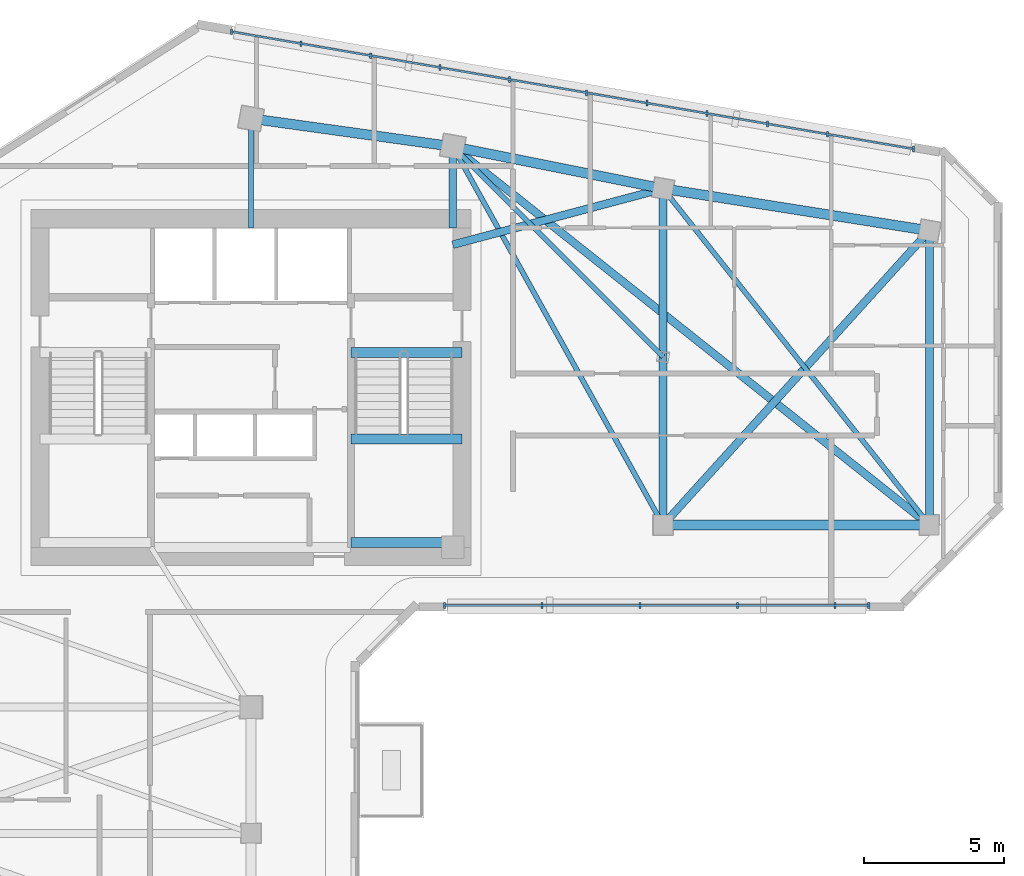
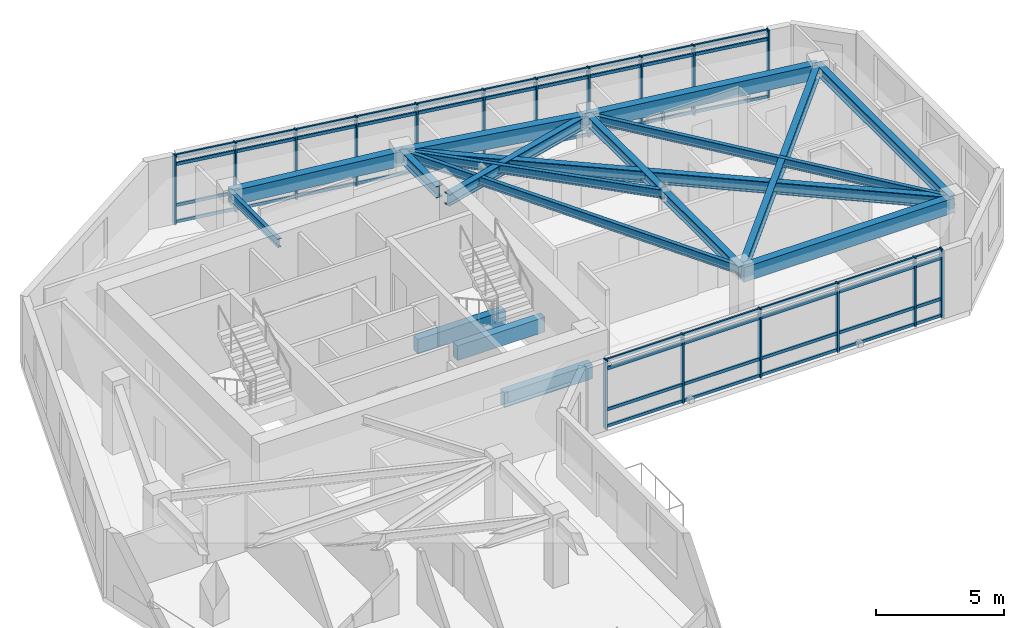
# One storey, part 2 of 10: 25 members, 17 beams, 2 elements without a shape of their own.
"""IFC4 building model written with IfcOpenShell, lengths in metres."""

from ifc_helpers import new_model, si_unit, direction, frame, origin, origin_2d, place, context, subcontext, project, spatial, rectangle, i_section, extrude, source, transform, mapped, material, material_profile, profile_set, type_object, element, aggregate, save


model = new_model("IFC4")

# Units and contexts
model_context = context("Model", 3, precision=1e-05, world=origin(), true_north=direction((0.0, 1.0)))
body_context = subcontext(model_context, "Body", "Model", "MODEL_VIEW")
ifc_project = project(units=[si_unit("LENGTHUNIT", "METRE"), si_unit("AREAUNIT", "SQUARE_METRE"), si_unit("VOLUMEUNIT", "CUBIC_METRE"), si_unit("PLANEANGLEUNIT", "RADIAN"), si_unit("MASSUNIT", "GRAM", prefix="KILO")], contexts=[model_context])

# Site, building, storey
site_placement = place(None, origin())
site = spatial("IfcSite", under=ifc_project, at=site_placement, CompositionType="ELEMENT")
building_placement = place(site_placement, origin())
building = spatial("IfcBuilding", under=site, at=building_placement, Name="Calvemar Wedge Station Tower", CompositionType="ELEMENT")
storey_placement = place(building_placement, frame((0.0, 0.0, 193.89990234375)))
storey = spatial("IfcBuildingStorey", under=building, at=storey_placement, Name="L48", CompositionType="ELEMENT", Elevation=193.89990234375)

# Beams
ifc_material_1 = material(Name="Structural steel ASTM A572 Grade 50", Category="steel")
ifc_material_profile_1 = material_profile(ifc_material_1, i_section(OverallWidth=0.177978515625, OverallDepth=0.406982421875, WebThickness=0.0078125, FlangeThickness=0.0126953125, FilletRadius=0.010009765625, at=origin_2d()), Name="W410x60")
ifc_profile_set_1 = profile_set([ifc_material_profile_1], Name="Structural steel ASTM A572 Grade 50")
beam_type_1 = type_object("IfcBeamType", Name="BM-J3-W410", PredefinedType="JOIST", material=ifc_profile_set_1)
shared_shape_1 = source(origin(), body_context, "Body", "SweptSolid", [
    extrude(i_section(OverallWidth=0.177978515625, OverallDepth=0.406982421875, WebThickness=0.0078125, FlangeThickness=0.0126953125, FilletRadius=0.010009765625, at=origin_2d()), origin(), (0.0, 0.0, 1.0), 15.443359375),
])
beam_1_placement = place(storey_placement, frame((31.0, 48.5, 3.046630859375), z_axis=(0.485642931179, -0.874157276122, 0.0), x_axis=(0.874157276122, 0.485642931179, 0.0)))
element("IfcBeam", 1, at=beam_1_placement, inside=storey, type_object=beam_type_1, Name="Storey L48 Floor Beam T-N2-T-NL2", PredefinedType="JOIST", context=body_context, shape_type="MappedRepresentation", body=[
    mapped(shared_shape_1, transform((0.0, 0.0, 0.0), scale=1.0)),
])
ifc_material_profile_2 = material_profile(ifc_material_1, i_section(OverallWidth=0.279052734375, OverallDepth=0.553955078125, WebThickness=0.017578125, FlangeThickness=0.029541015625, FilletRadius=0.014892578125, at=origin_2d()), Name="W530x196")
ifc_profile_set_2 = profile_set([ifc_material_profile_2], Name="Structural steel ASTM A572 Grade 50")
beam_type_2 = type_object("IfcBeamType", Name="BM-SB3-W530H", PredefinedType="BEAM", material=ifc_profile_set_2)
shared_shape_2 = source(origin(), body_context, "Body", "SweptSolid", [
    extrude(i_section(OverallWidth=0.279052734375, OverallDepth=0.553955078125, WebThickness=0.017578125, FlangeThickness=0.029541015625, FilletRadius=0.014892578125, at=origin_2d()), origin(), (0.0, 0.0, 1.0), 21.708251953125),
])
beam_2_placement = place(storey_placement, frame((31.0, 48.5, 2.97314453125), z_axis=(0.783110847498, -0.621882143602, 0.0), x_axis=(0.621882143602, 0.783110847498, 0.0)))
element("IfcBeam", 2, at=beam_2_placement, inside=storey, type_object=beam_type_2, Name="Storey L48 Floor Beam T-N2-T-NL3", PredefinedType="BEAM", context=body_context, shape_type="MappedRepresentation", body=[
    mapped(shared_shape_2, transform((0.0, 0.0, 0.0), scale=1.0)),
])
shared_shape_3 = source(origin(), body_context, "Body", "SweptSolid", [
    extrude(i_section(OverallWidth=0.177978515625, OverallDepth=0.406982421875, WebThickness=0.0078125, FlangeThickness=0.0126953125, FilletRadius=0.010009765625, at=origin_2d()), origin(), (0.0, 0.0, 1.0), 15.30517578125),
])
beam_3_placement = place(storey_placement, frame((38.5, 47.0, 3.046630859375), z_axis=(0.620702944366, -0.784045824462, 0.0), x_axis=(0.784045824462, 0.620702944366, 0.0)))
element("IfcBeam", 3, at=beam_3_placement, inside=storey, type_object=beam_type_1, Name="Storey L48 Floor Beam T-NU3-T-NL3", PredefinedType="JOIST", context=body_context, shape_type="MappedRepresentation", body=[
    mapped(shared_shape_3, transform((0.0, 0.0, 0.0), scale=1.0)),
])
shared_shape_4 = source(origin(), body_context, "Body", "SweptSolid", [
    extrude(i_section(OverallWidth=0.279052734375, OverallDepth=0.553955078125, WebThickness=0.017578125, FlangeThickness=0.029541015625, FilletRadius=0.014892578125, at=origin_2d()), origin(), (0.0, 0.0, 1.0), 14.159912109375),
])
beam_4_placement = place(storey_placement, frame((38.5, 35.0, 2.97314453125), z_axis=(0.670913323969, 0.741535779124, 0.0), x_axis=(-0.741535779124, 0.670913323969, 0.0)))
element("IfcBeam", 4, at=beam_4_placement, inside=storey, type_object=beam_type_2, Name="Storey L48 Floor Beam T-NL2-T-NU4", PredefinedType="BEAM", context=body_context, shape_type="MappedRepresentation", body=[
    mapped(shared_shape_4, transform((0.0, 0.0, 0.0), scale=1.0)),
])
shared_shape_5 = source(origin(), body_context, "Body", "SweptSolid", [
    extrude(i_section(OverallWidth=0.279052734375, OverallDepth=0.553955078125, WebThickness=0.017578125, FlangeThickness=0.029541015625, FilletRadius=0.014892578125, at=origin_2d()), origin(), (0.0, 0.0, 1.0), 7.76220703125),
])
beam_5_placement = place(storey_placement, frame((31.0, 45.0, 2.97314453125), z_axis=(0.966234939601, 0.25766265056, 0.0), x_axis=(-0.25766265056, 0.966234939601, 0.0)))
element("IfcBeam", 5, at=beam_5_placement, inside=storey, type_object=beam_type_2, Name="Storey L48 Core-to-Column Joist CJ-E2", PredefinedType="BEAM", context=body_context, shape_type="MappedRepresentation", body=[
    mapped(shared_shape_5, transform((0.0, 0.0, 0.0), scale=1.0)),
])
shared_shape_6 = source(origin(), body_context, "Body", "SweptSolid", [
    extrude(i_section(OverallWidth=0.177978515625, OverallDepth=0.406982421875, WebThickness=0.0078125, FlangeThickness=0.0126953125, FilletRadius=0.010009765625, at=origin_2d()), origin(), (0.0, 0.0, 1.0), 3.89990234375),
])
beam_6_placement = place(storey_placement, frame((23.800048828125, 45.60009765625, 3.046630859375), z_axis=(0.0, 1.0, 0.0), x_axis=(-1.0, 0.0, 0.0)))
element("IfcBeam", 6, at=beam_6_placement, inside=storey, type_object=beam_type_1, Name="Storey L48 Core-to-Column Joist CJ-N1", PredefinedType="JOIST", context=body_context, shape_type="MappedRepresentation", body=[
    mapped(shared_shape_6, transform((0.0, 0.0, 0.0), scale=1.0)),
])
shared_shape_7 = source(origin(), body_context, "Body", "SweptSolid", [
    extrude(i_section(OverallWidth=0.279052734375, OverallDepth=0.553955078125, WebThickness=0.017578125, FlangeThickness=0.029541015625, FilletRadius=0.014892578125, at=origin_2d()), origin(), (0.0, 0.0, 1.0), 2.89990234375),
])
beam_7_placement = place(storey_placement, frame((31.0, 45.60009765625, 2.97314453125), z_axis=(0.0, 1.0, 0.0), x_axis=(-1.0, 0.0, 0.0)))
element("IfcBeam", 7, at=beam_7_placement, inside=storey, type_object=beam_type_2, Name="Storey L48 Core-to-Column Joist CJ-N2", PredefinedType="BEAM", context=body_context, shape_type="MappedRepresentation", body=[
    mapped(shared_shape_7, transform((0.0, 0.0, 0.0), scale=1.0)),
])
shared_shape_8 = source(origin(), body_context, "Body", "SweptSolid", [
    extrude(i_section(OverallWidth=0.177978515625, OverallDepth=0.406982421875, WebThickness=0.0078125, FlangeThickness=0.0126953125, FilletRadius=0.010009765625, at=origin_2d()), origin(), (0.0, 0.0, 1.0), 10.606689453125),
])
beam_8_placement = place(storey_placement, frame((38.5, 41.0, 3.046630859375), z_axis=(-0.707106781187, 0.707106781187, 0.0), x_axis=(-0.707106781187, -0.707106781187, 0.0)))
element("IfcBeam", 8, at=beam_8_placement, inside=storey, type_object=beam_type_1, Name="Storey L48 Floor Beam T-NTIP-B-T-N2", PredefinedType="JOIST", context=body_context, shape_type="MappedRepresentation", body=[
    mapped(shared_shape_8, transform((0.0, 0.0, 0.0), scale=1.0)),
])
ifc_material_2 = material(Name="Concrete C70", Category="concrete")
ifc_material_profile_3 = material_profile(ifc_material_2, rectangle(XDim=0.35009765625, YDim=0.699951171875, at=origin_2d()), Name="RC350x700")
ifc_profile_set_3 = profile_set([ifc_material_profile_3], Name="Concrete C70")
beam_type_3 = type_object("IfcBeamType", Name="BM-LN1-700", PredefinedType="LINTEL", material=ifc_profile_set_3)
shared_shape_9 = source(origin(), body_context, "Body", "SweptSolid", [
    extrude(rectangle(XDim=0.35009765625, YDim=0.699951171875, at=origin_2d()), origin(), (0.0, 0.0, 1.0), 3.954833984375),
])
for number, where, z_axis, x_axis, name in (
    (9, (27.3701171875, 41.14990234375, -0.349853515625), (1.0, 0.0, 0.0), (0.0, 1.0, 0.0), "Storey L48 Stair ST-C2 Landing Trimmer Beam"),
    (10, (27.3701171875, 34.3798828125, 1.2001953125), (1.0, 0.0, 0.0), (0.0, 1.0, 0.0), "Storey L48 Stair ST-C2 Half-Landing Beam 1A"),
    (11, (27.3701171875, 38.070068359375, 1.2001953125), (1.0, 0.0, 0.0), (0.0, 1.0, 0.0), "Storey L48 Stair ST-C2 Half-Landing Beam 1B"),
):
    element("IfcBeam", number, at=place(storey_placement, frame(where, z_axis=z_axis, x_axis=x_axis)), inside=storey, type_object=beam_type_3, Name=name, PredefinedType="LINTEL", context=body_context, shape_type="MappedRepresentation", body=[
        mapped(shared_shape_9, transform((0.0, 0.0, 0.0), scale=1.0)),
    ])
ifc_material_3 = material(Name="Concrete C50", Category="concrete")
ifc_material_profile_4 = material_profile(ifc_material_3, rectangle(XDim=0.35009765625, YDim=0.699951171875, at=origin_2d()), Name="RC350x700")
ifc_profile_set_4 = profile_set([ifc_material_profile_4], Name="Concrete C50")
beam_type_4 = type_object("IfcBeamType", Name="BM-SP2-700", PredefinedType="SPANDREL", material=ifc_profile_set_4)
shared_shape_10 = source(origin(), body_context, "Body", "SweptSolid", [
    extrude(rectangle(XDim=0.35009765625, YDim=0.699951171875, at=origin_2d()), origin(), (0.0, 0.0, 1.0), 7.26904296875),
])
beam_9_placement = place(storey_placement, frame((23.800048828125, 49.5, 2.900146484375), z_axis=(0.990492146053, -0.13756928657, 0.0), x_axis=(0.13756928657, 0.990492146053, 0.0)))
element("IfcBeam", 12, at=beam_9_placement, inside=storey, type_object=beam_type_4, Name="Storey L48 Spandrel T-N1-T-N2", PredefinedType="SPANDREL", context=body_context, shape_type="MappedRepresentation", body=[
    mapped(shared_shape_10, transform((0.0, 0.0, 0.0), scale=1.0)),
])
shared_shape_11 = source(origin(), body_context, "Body", "SweptSolid", [
    extrude(rectangle(XDim=0.35009765625, YDim=0.699951171875, at=origin_2d()), origin(), (0.0, 0.0, 1.0), 7.6484375),
])
beam_10_placement = place(storey_placement, frame((31.0, 48.5, 2.900146484375), z_axis=(0.980580675691, -0.196116135138, 0.0), x_axis=(0.196116135138, 0.980580675691, 0.0)))
element("IfcBeam", 13, at=beam_10_placement, inside=storey, type_object=beam_type_4, Name="Storey L48 Spandrel T-N2-T-NU3", PredefinedType="SPANDREL", context=body_context, shape_type="MappedRepresentation", body=[
    mapped(shared_shape_11, transform((0.0, 0.0, 0.0), scale=1.0)),
])
shared_shape_12 = source(origin(), body_context, "Body", "SweptSolid", [
    extrude(rectangle(XDim=0.35009765625, YDim=0.699951171875, at=origin_2d()), origin(), (0.0, 0.0, 1.0), 9.61767578125),
])
beam_11_placement = place(storey_placement, frame((38.5, 47.0, 2.900146484375), z_axis=(0.987762965329, -0.155962573473, 0.0), x_axis=(0.155962573473, 0.987762965329, 0.0)))
element("IfcBeam", 14, at=beam_11_placement, inside=storey, type_object=beam_type_4, Name="Storey L48 Spandrel T-NU3-T-NU4", PredefinedType="SPANDREL", context=body_context, shape_type="MappedRepresentation", body=[
    mapped(shared_shape_12, transform((0.0, 0.0, 0.0), scale=1.0)),
])
shared_shape_13 = source(origin(), body_context, "Body", "SweptSolid", [
    extrude(rectangle(XDim=0.35009765625, YDim=0.699951171875, at=origin_2d()), origin(), (0.0, 0.0, 1.0), 9.5),
])
beam_12_placement = place(storey_placement, frame((38.5, 35.0, 2.900146484375), z_axis=(1.0, 0.0, 0.0), x_axis=(0.0, 1.0, 0.0)))
element("IfcBeam", 15, at=beam_12_placement, inside=storey, type_object=beam_type_4, Name="Storey L48 Spandrel T-NL2-T-NL3", PredefinedType="SPANDREL", context=body_context, shape_type="MappedRepresentation", body=[
    mapped(shared_shape_13, transform((0.0, 0.0, 0.0), scale=1.0)),
])
ifc_material_profile_5 = material_profile(ifc_material_1, i_section(OverallWidth=0.283935546875, OverallDepth=0.47607421875, WebThickness=0.014892578125, FlangeThickness=0.02392578125, FilletRadius=0.014892578125, at=origin_2d()), Name="W460x158")
ifc_profile_set_5 = profile_set([ifc_material_profile_5], Name="Structural steel ASTM A572 Grade 50")
beam_type_5 = type_object("IfcBeamType", Name="BM-SB5-W460H", PredefinedType="BEAM", material=ifc_profile_set_5)
shared_shape_14 = source(origin(), body_context, "Body", "SweptSolid", [
    extrude(i_section(OverallWidth=0.283935546875, OverallDepth=0.47607421875, WebThickness=0.014892578125, FlangeThickness=0.02392578125, FilletRadius=0.014892578125, at=origin_2d()), origin(), (0.0, 0.0, 1.0), 12.0),
])
beam_13_placement = place(storey_placement, frame((38.5, 47.0, 3.01220703125), z_axis=(0.0, -1.0, 0.0), x_axis=(1.0, 0.0, 0.0)))
element("IfcBeam", 16, at=beam_13_placement, inside=storey, type_object=beam_type_5, Name="Storey L48 Floor Beam T-NU3-T-NL2", PredefinedType="BEAM", context=body_context, shape_type="MappedRepresentation", body=[
    mapped(shared_shape_14, transform((0.0, 0.0, 0.0), scale=1.0)),
])
shared_shape_15 = source(origin(), body_context, "Body", "SweptSolid", [
    extrude(i_section(OverallWidth=0.283935546875, OverallDepth=0.47607421875, WebThickness=0.014892578125, FlangeThickness=0.02392578125, FilletRadius=0.014892578125, at=origin_2d()), origin(), (0.0, 0.0, 1.0), 10.5),
])
beam_14_placement = place(storey_placement, frame((48.0, 45.5, 3.01220703125), z_axis=(0.0, -1.0, 0.0), x_axis=(1.0, 0.0, 0.0)))
element("IfcBeam", 17, at=beam_14_placement, inside=storey, type_object=beam_type_5, Name="Storey L48 Floor Beam T-NU4-T-NL3", PredefinedType="BEAM", context=body_context, shape_type="MappedRepresentation", body=[
    mapped(shared_shape_15, transform((0.0, 0.0, 0.0), scale=1.0)),
])

# Curtain wall, members
ifc_material_4 = material(Name="Anodised aluminium 6063-T6", Category="aluminium")
curtain_wall_type = type_object("IfcCurtainWallType", Name="CW3", PredefinedType="NOTDEFINED", material=ifc_material_4)
curtain_wall_1_placement = place(storey_placement, origin())
curtain_wall_1 = element("IfcCurtainWall", 18, at=curtain_wall_1_placement, inside=storey, type_object=curtain_wall_type, Name="Storey L48 CW3 Recessed Unitised Curtain Wall 6", PredefinedType="NOTDEFINED")
ifc_material_profile_6 = material_profile(ifc_material_4, rectangle(XDim=0.074951171875, YDim=0.2099609375, at=origin_2d()), Name="AL-MUL-75x210")
ifc_profile_set_6 = profile_set([ifc_material_profile_6], Name="Anodised aluminium 6063-T6")
member_type_1 = type_object("IfcMemberType", Name="CW3-MUL", PredefinedType="MULLION", material=ifc_profile_set_6)
shared_shape_16 = source(origin(), body_context, "Body", "SweptSolid", [
    extrude(rectangle(XDim=0.074951171875, YDim=0.2099609375, at=origin_2d()), origin(), (0.0, 0.0, 1.0), 3.2998046875),
])
member_1_placement = place(storey_placement, frame((30.701904296875, 32.134033203125, -0.0498046875), z_axis=(0.0, 0.0, 1.0), x_axis=(1.0, 0.0, 0.0)))
member_1 = element("IfcMember", 19, at=member_1_placement, type_object=member_type_1, Name="CW3 mullion 1", PredefinedType="MULLION", context=body_context, shape_type="MappedRepresentation", body=[
    mapped(shared_shape_16, transform((0.0, 0.0, 0.0), scale=1.0)),
])
member_2_placement = place(storey_placement, frame((34.186279296875, 32.134033203125, -0.0498046875), z_axis=(0.0, 0.0, 1.0), x_axis=(1.0, 0.0, 0.0)))
member_2 = element("IfcMember", 20, at=member_2_placement, type_object=member_type_1, Name="CW3 mullion 2", PredefinedType="MULLION", context=body_context, shape_type="MappedRepresentation", body=[
    mapped(shared_shape_16, transform((0.0, 0.0, 0.0), scale=1.0)),
])
member_3_placement = place(storey_placement, frame((37.6708984375, 32.134033203125, -0.0498046875), z_axis=(0.0, 0.0, 1.0), x_axis=(1.0, 0.0, 0.0)))
member_3 = element("IfcMember", 21, at=member_3_placement, type_object=member_type_1, Name="CW3 mullion 3", PredefinedType="MULLION", context=body_context, shape_type="MappedRepresentation", body=[
    mapped(shared_shape_16, transform((0.0, 0.0, 0.0), scale=1.0)),
])
member_4_placement = place(storey_placement, frame((41.155517578125, 32.134033203125, -0.0498046875), z_axis=(0.0, 0.0, 1.0), x_axis=(1.0, 0.0, 0.0)))
member_4 = element("IfcMember", 22, at=member_4_placement, type_object=member_type_1, Name="CW3 mullion 4", PredefinedType="MULLION", context=body_context, shape_type="MappedRepresentation", body=[
    mapped(shared_shape_16, transform((0.0, 0.0, 0.0), scale=1.0)),
])
member_5_placement = place(storey_placement, frame((44.639892578125, 32.134033203125, -0.0498046875), z_axis=(0.0, 0.0, 1.0), x_axis=(1.0, 0.0, 0.0)))
member_5 = element("IfcMember", 23, at=member_5_placement, type_object=member_type_1, Name="CW3 mullion 5", PredefinedType="MULLION", context=body_context, shape_type="MappedRepresentation", body=[
    mapped(shared_shape_16, transform((0.0, 0.0, 0.0), scale=1.0)),
])
member_6_placement = place(storey_placement, frame((45.837890625, 32.134033203125, -0.0498046875), z_axis=(0.0, 0.0, 1.0), x_axis=(1.0, 0.0, 0.0)))
member_6 = element("IfcMember", 24, at=member_6_placement, type_object=member_type_1, Name="CW3 mullion 6", PredefinedType="MULLION", context=body_context, shape_type="MappedRepresentation", body=[
    mapped(shared_shape_16, transform((0.0, 0.0, 0.0), scale=1.0)),
])

curtain_wall_2_placement = place(storey_placement, origin())
curtain_wall_2 = element("IfcCurtainWall", 25, at=curtain_wall_2_placement, inside=storey, type_object=curtain_wall_type, Name="Storey L48 CW3 Recessed Unitised Curtain Wall 10", PredefinedType="NOTDEFINED")
member_7_placement = place(storey_placement, frame((47.433349609375, 48.41162109375, -0.0498046875), z_axis=(0.0, 0.0, 1.0), x_axis=(1.0, 0.0, 0.0)))
member_7 = element("IfcMember", 26, at=member_7_placement, type_object=member_type_1, Name="CW3 mullion 1", PredefinedType="MULLION", context=body_context, shape_type="MappedRepresentation", body=[
    mapped(shared_shape_16, transform((0.0, 0.0, 0.0), scale=1.0)),
])
member_8_placement = place(storey_placement, frame((44.371337890625, 48.9384765625, -0.0498046875), z_axis=(0.0, 0.0, 1.0), x_axis=(1.0, 0.0, 0.0)))
member_8 = element("IfcMember", 27, at=member_8_placement, type_object=member_type_1, Name="CW3 mullion 2", PredefinedType="MULLION", context=body_context, shape_type="MappedRepresentation", body=[
    mapped(shared_shape_16, transform((0.0, 0.0, 0.0), scale=1.0)),
])
member_9_placement = place(storey_placement, frame((42.221435546875, 49.30810546875, -0.0498046875), z_axis=(0.0, 0.0, 1.0), x_axis=(1.0, 0.0, 0.0)))
member_9 = element("IfcMember", 28, at=member_9_placement, type_object=member_type_1, Name="CW3 mullion 3", PredefinedType="MULLION", context=body_context, shape_type="MappedRepresentation", body=[
    mapped(shared_shape_16, transform((0.0, 0.0, 0.0), scale=1.0)),
])
member_10_placement = place(storey_placement, frame((40.0712890625, 49.677978515625, -0.0498046875), z_axis=(0.0, 0.0, 1.0), x_axis=(1.0, 0.0, 0.0)))
member_10 = element("IfcMember", 29, at=member_10_placement, type_object=member_type_1, Name="CW3 mullion 4", PredefinedType="MULLION", context=body_context, shape_type="MappedRepresentation", body=[
    mapped(shared_shape_16, transform((0.0, 0.0, 0.0), scale=1.0)),
])
member_11_placement = place(storey_placement, frame((37.92138671875, 50.048095703125, -0.0498046875), z_axis=(0.0, 0.0, 1.0), x_axis=(1.0, 0.0, 0.0)))
member_11 = element("IfcMember", 30, at=member_11_placement, type_object=member_type_1, Name="CW3 mullion 5", PredefinedType="MULLION", context=body_context, shape_type="MappedRepresentation", body=[
    mapped(shared_shape_16, transform((0.0, 0.0, 0.0), scale=1.0)),
])
member_12_placement = place(storey_placement, frame((35.771240234375, 50.417724609375, -0.0498046875), z_axis=(0.0, 0.0, 1.0), x_axis=(1.0, 0.0, 0.0)))
member_12 = element("IfcMember", 31, at=member_12_placement, type_object=member_type_1, Name="CW3 mullion 6", PredefinedType="MULLION", context=body_context, shape_type="MappedRepresentation", body=[
    mapped(shared_shape_16, transform((0.0, 0.0, 0.0), scale=1.0)),
])
member_13_placement = place(storey_placement, frame((33.021240234375, 50.890869140625, -0.0498046875), z_axis=(0.0, 0.0, 1.0), x_axis=(1.0, 0.0, 0.0)))
member_13 = element("IfcMember", 32, at=member_13_placement, type_object=member_type_1, Name="CW3 mullion 7", PredefinedType="MULLION", context=body_context, shape_type="MappedRepresentation", body=[
    mapped(shared_shape_16, transform((0.0, 0.0, 0.0), scale=1.0)),
])
member_14_placement = place(storey_placement, frame((30.54638671875, 51.316650390625, -0.0498046875), z_axis=(0.0, 0.0, 1.0), x_axis=(1.0, 0.0, 0.0)))
member_14 = element("IfcMember", 33, at=member_14_placement, type_object=member_type_1, Name="CW3 mullion 8", PredefinedType="MULLION", context=body_context, shape_type="MappedRepresentation", body=[
    mapped(shared_shape_16, transform((0.0, 0.0, 0.0), scale=1.0)),
])
member_15_placement = place(storey_placement, frame((28.0712890625, 51.742431640625, -0.0498046875), z_axis=(0.0, 0.0, 1.0), x_axis=(1.0, 0.0, 0.0)))
member_15 = element("IfcMember", 34, at=member_15_placement, type_object=member_type_1, Name="CW3 mullion 9", PredefinedType="MULLION", context=body_context, shape_type="MappedRepresentation", body=[
    mapped(shared_shape_16, transform((0.0, 0.0, 0.0), scale=1.0)),
])
member_16_placement = place(storey_placement, frame((25.58837890625, 52.169677734375, -0.0498046875), z_axis=(0.0, 0.0, 1.0), x_axis=(1.0, 0.0, 0.0)))
member_16 = element("IfcMember", 35, at=member_16_placement, type_object=member_type_1, Name="CW3 mullion 10", PredefinedType="MULLION", context=body_context, shape_type="MappedRepresentation", body=[
    mapped(shared_shape_16, transform((0.0, 0.0, 0.0), scale=1.0)),
])
member_17_placement = place(storey_placement, frame((23.105712890625, 52.5966796875, -0.0498046875), z_axis=(0.0, 0.0, 1.0), x_axis=(1.0, 0.0, 0.0)))
member_17 = element("IfcMember", 36, at=member_17_placement, type_object=member_type_1, Name="CW3 mullion 11", PredefinedType="MULLION", context=body_context, shape_type="MappedRepresentation", body=[
    mapped(shared_shape_16, transform((0.0, 0.0, 0.0), scale=1.0)),
])
ifc_material_profile_7 = material_profile(ifc_material_4, rectangle(XDim=0.074951171875, YDim=0.14501953125, at=origin_2d()), Name="AL-TRN-75x145")
ifc_profile_set_7 = profile_set([ifc_material_profile_7], Name="Anodised aluminium 6063-T6")
member_type_2 = type_object("IfcMemberType", Name="CW3-TRN", PredefinedType="USERDEFINED", material=ifc_profile_set_7)
shared_shape_17 = source(origin(), body_context, "Body", "SweptSolid", [
    extrude(rectangle(XDim=0.074951171875, YDim=0.14501953125, at=origin_2d()), origin(), (0.0, 0.0, 1.0), 24.68505859375),
])
member_18_placement = place(storey_placement, frame((47.433349609375, 48.41162109375, 0.06005859375), z_axis=(-0.985523545507, 0.16953861286, 0.0), x_axis=(-0.16953861286, -0.985523545507, 0.0)))
member_18 = element("IfcMember", 37, at=member_18_placement, type_object=member_type_2, Name="CW3 transom 1", ObjectType="TRANSOM", PredefinedType="USERDEFINED", context=body_context, shape_type="MappedRepresentation", body=[
    mapped(shared_shape_17, transform((0.0, 0.0, 0.0), scale=1.0)),
])
member_19_placement = place(storey_placement, frame((47.433349609375, 48.41162109375, 0.85009765625), z_axis=(-0.985523545507, 0.16953861286, 0.0), x_axis=(-0.16953861286, -0.985523545507, 0.0)))
member_19 = element("IfcMember", 38, at=member_19_placement, type_object=member_type_2, Name="CW3 transom 2", ObjectType="TRANSOM", PredefinedType="USERDEFINED", context=body_context, shape_type="MappedRepresentation", body=[
    mapped(shared_shape_17, transform((0.0, 0.0, 0.0), scale=1.0)),
])
member_20_placement = place(storey_placement, frame((47.433349609375, 48.41162109375, 2.800048828125), z_axis=(-0.985523545507, 0.16953861286, 0.0), x_axis=(-0.16953861286, -0.985523545507, 0.0)))
member_20 = element("IfcMember", 39, at=member_20_placement, type_object=member_type_2, Name="CW3 transom 3", ObjectType="TRANSOM", PredefinedType="USERDEFINED", context=body_context, shape_type="MappedRepresentation", body=[
    mapped(shared_shape_17, transform((0.0, 0.0, 0.0), scale=1.0)),
])
member_21_placement = place(storey_placement, frame((47.433349609375, 48.41162109375, 3.190185546875), z_axis=(-0.985523545507, 0.16953861286, 0.0), x_axis=(-0.16953861286, -0.985523545507, 0.0)))
member_21 = element("IfcMember", 40, at=member_21_placement, type_object=member_type_2, Name="CW3 transom 4", ObjectType="TRANSOM", PredefinedType="USERDEFINED", context=body_context, shape_type="MappedRepresentation", body=[
    mapped(shared_shape_17, transform((0.0, 0.0, 0.0), scale=1.0)),
])
aggregate(curtain_wall_2, [member_7, member_8, member_9, member_10, member_11, member_12, member_13, member_14, member_15, member_16, member_17, member_18, member_19, member_20, member_21])

# Member
shared_shape_18 = source(origin(), body_context, "Body", "SweptSolid", [
    extrude(rectangle(XDim=0.074951171875, YDim=0.14501953125, at=origin_2d()), origin(), (0.0, 0.0, 1.0), 15.135986328125),
])
member_22_placement = place(storey_placement, frame((30.701904296875, 32.134033203125, 0.06005859375), z_axis=(1.0, 0.0, 0.0), x_axis=(0.0, 1.0, 0.0)))
member_22 = element("IfcMember", 41, at=member_22_placement, type_object=member_type_2, Name="CW3 transom 1", ObjectType="TRANSOM", PredefinedType="USERDEFINED", context=body_context, shape_type="MappedRepresentation", body=[
    mapped(shared_shape_18, transform((0.0, 0.0, 0.0), scale=1.0)),
])

member_23_placement = place(storey_placement, frame((30.701904296875, 32.134033203125, 0.85009765625), z_axis=(1.0, 0.0, 0.0), x_axis=(0.0, 1.0, 0.0)))
member_23 = element("IfcMember", 42, at=member_23_placement, type_object=member_type_2, Name="CW3 transom 2", ObjectType="TRANSOM", PredefinedType="USERDEFINED", context=body_context, shape_type="MappedRepresentation", body=[
    mapped(shared_shape_18, transform((0.0, 0.0, 0.0), scale=1.0)),
])

member_24_placement = place(storey_placement, frame((30.701904296875, 32.134033203125, 2.800048828125), z_axis=(1.0, 0.0, 0.0), x_axis=(0.0, 1.0, 0.0)))
member_24 = element("IfcMember", 43, at=member_24_placement, type_object=member_type_2, Name="CW3 transom 3", ObjectType="TRANSOM", PredefinedType="USERDEFINED", context=body_context, shape_type="MappedRepresentation", body=[
    mapped(shared_shape_18, transform((0.0, 0.0, 0.0), scale=1.0)),
])

member_25_placement = place(storey_placement, frame((30.701904296875, 32.134033203125, 3.190185546875), z_axis=(1.0, 0.0, 0.0), x_axis=(0.0, 1.0, 0.0)))
member_25 = element("IfcMember", 44, at=member_25_placement, type_object=member_type_2, Name="CW3 transom 4", ObjectType="TRANSOM", PredefinedType="USERDEFINED", context=body_context, shape_type="MappedRepresentation", body=[
    mapped(shared_shape_18, transform((0.0, 0.0, 0.0), scale=1.0)),
])

aggregate(curtain_wall_1, [member_1, member_2, member_3, member_4, member_5, member_6, member_22, member_23, member_24, member_25])

save(model, "model.ifc")
